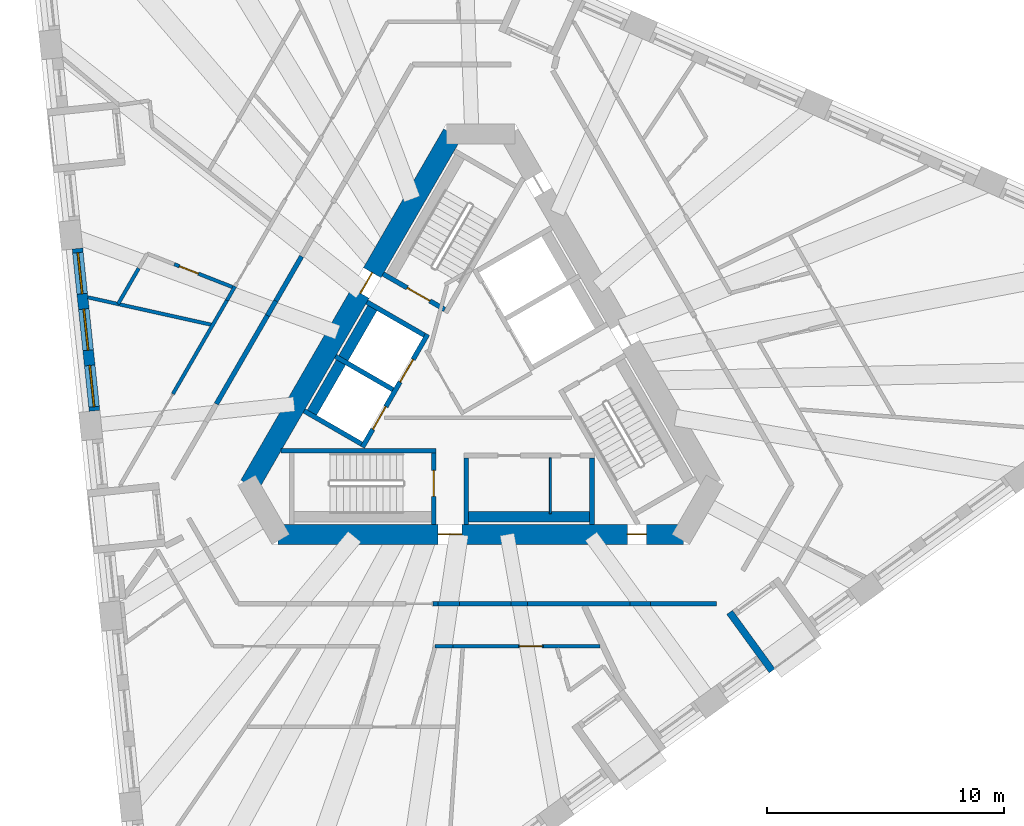
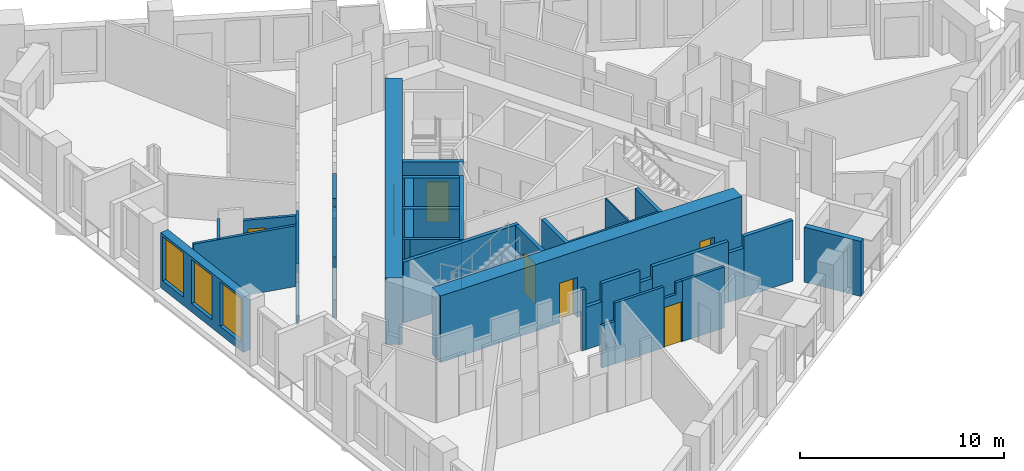
# One storey, part 4 of 14: 35 walls, 9 doors, 3 windows, 12 openings.
"""IFC4 building model written with IfcOpenShell, lengths in metres."""

from ifc_helpers import new_model, si_unit, direction, frame, frame_2d, origin, place, context, subcontext, project, spatial, polyline, rectangle, outline, extrude, material, layer, layer_set, type_object, element, fill, save


model = new_model("IFC4")

# Units and contexts
model_context = context("Model", 3, precision=1e-05, world=origin(), true_north=direction((0.0, 1.0)))
body_context = subcontext(model_context, "Body", "Model", "MODEL_VIEW")
ifc_project = project(units=[si_unit("LENGTHUNIT", "METRE"), si_unit("AREAUNIT", "SQUARE_METRE"), si_unit("VOLUMEUNIT", "CUBIC_METRE"), si_unit("PLANEANGLEUNIT", "RADIAN"), si_unit("MASSUNIT", "GRAM", prefix="KILO")], contexts=[model_context])

# Site, building, storey
site_placement = place(None, origin())
site = spatial("IfcSite", under=ifc_project, at=site_placement, CompositionType="ELEMENT")
building_placement = place(site_placement, origin())
building = spatial("IfcBuilding", under=site, at=building_placement, Name="Tramontana Tower", CompositionType="ELEMENT")
storey_placement = place(building_placement, frame((0.0, 0.0, 174.800048828125)))
storey = spatial("IfcBuildingStorey", under=building, at=storey_placement, Name="L40", CompositionType="ELEMENT", Elevation=174.800048828125)

# Wall, opening, door
ifc_material_1 = material(Name="Concrete 70 MPa", Category="concrete")
ifc_layer_1 = layer(ifc_material_1, 0.85009765625)
ifc_layer_set_1 = layer_set([ifc_layer_1], Name="Core wall 850 70 MPa")
wall_type_1 = type_object("IfcWallType", Name="Core wall 850 70 MPa", PredefinedType="SHEAR", material=ifc_layer_set_1)
wall_1_placement = place(storey_placement, frame((-1.197998046875, 10.574951171875, 0.0), z_axis=(0.0, 0.0, 1.0), x_axis=(-0.499995289315, -0.866028123483, 0.0)))
wall_1 = element("IfcWall", 1, at=wall_1_placement, inside=storey, type_object=wall_type_1, Name="Core wall C1 L40", PredefinedType="SHEAR", context=body_context, shape_type="SweptSolid", body=[
    extrude(rectangle(XDim=17.118408203125, YDim=0.85009765625, at=frame_2d((8.55908203125, 0.0))), origin(), (0.0, 0.0, 1.0), 4.0),
])
opening_1_placement = place(wall_1_placement, frame((6.76416015625, 0.0, 0.0)))
opening_1 = element("IfcOpeningElement", 2, at=opening_1_placement, cuts=wall_1, Name="Opening RG1", PredefinedType="OPENING", context=body_context, shape_type="SweptSolid", body=[
    extrude(rectangle(XDim=1.0, YDim=2.39990234375, at=frame_2d((0.5, 1.199951171875))), frame((0.0, 0.43505859375, 0.0), z_axis=(0.0, -1.0, 0.0), x_axis=(1.0, 0.0, 0.0)), (0.0, 0.0, 1.0), 0.8701171875),
])
ifc_material_2 = material(Name="Painted steel", Category="steel")
door_type_1 = type_object("IfcDoorType", Name="RING DOOR 1000", OperationType="SINGLE_SWING_LEFT", PredefinedType="DOOR", material=ifc_material_2)
door_1_placement = place(opening_1_placement, origin())
door_1 = element("IfcDoor", 3, at=door_1_placement, inside=storey, type_object=door_type_1, Name="Door RG1", OperationType="SINGLE_SWING_RIGHT", OverallHeight=2.39990234375, OverallWidth=1.0, PredefinedType="DOOR", context=body_context, shape_type="SweptSolid", body=[
    extrude(rectangle(XDim=1.0, YDim=2.39990234375, at=frame_2d((0.5, 1.199951171875))), frame((0.0, 0.02490234375, 0.0), z_axis=(0.0, -1.0, 0.0), x_axis=(1.0, 0.0, 0.0)), (0.0, 0.0, 1.0), 0.050048828125),
])
fill(opening_1, door_1)

# Wall, openings, doors
wall_2_placement = place(storey_placement, frame((-8.55908203125, -6.324951171875, 0.0), z_axis=(0.0, 0.0, 1.0), x_axis=(1.0, 0.0, 0.0)))
wall_2 = element("IfcWall", 4, at=wall_2_placement, inside=storey, type_object=wall_type_1, Name="Core wall C3 L40", PredefinedType="SHEAR", context=body_context, shape_type="SweptSolid", body=[
    extrude(rectangle(XDim=17.1181640625, YDim=0.85009765625, at=frame_2d((8.55908203125, 0.0))), origin(), (0.0, 0.0, 1.0), 4.0),
])
opening_2_placement = place(wall_2_placement, frame((6.76416015625, 0.0, 0.0)))
opening_2 = element("IfcOpeningElement", 5, at=opening_2_placement, cuts=wall_2, Name="Opening RG2", PredefinedType="OPENING", context=body_context, shape_type="SweptSolid", body=[
    extrude(rectangle(XDim=1.0, YDim=2.39990234375, at=frame_2d((0.5, 1.199951171875))), frame((0.0, 0.43505859375, 0.0), z_axis=(0.0, -1.0, 0.0), x_axis=(1.0, 0.0, 0.0)), (0.0, 0.0, 1.0), 0.8701171875),
])
opening_3_placement = place(wall_2_placement, frame((14.7421875, 0.0, 0.0)))
opening_3 = element("IfcOpeningElement", 6, at=opening_3_placement, cuts=wall_2, Name="Opening PD2", PredefinedType="OPENING", context=body_context, shape_type="SweptSolid", body=[
    extrude(rectangle(XDim=0.800048828125, YDim=2.10009765625, at=frame_2d((0.39990234375, 1.050048828125))), frame((0.0, 0.43505859375, 0.0), z_axis=(0.0, -1.0, 0.0), x_axis=(1.0, 0.0, 0.0)), (0.0, 0.0, 1.0), 0.8701171875),
])
ifc_material_3 = material(Name="Painted steel", Category="steel")
door_type_2 = type_object("IfcDoorType", Name="CUPBOARD DOOR 800", OperationType="SINGLE_SWING_LEFT", PredefinedType="DOOR", material=ifc_material_3)
door_2_placement = place(opening_3_placement, origin())
door_2 = element("IfcDoor", 7, at=door_2_placement, inside=storey, type_object=door_type_2, Name="Door PD2", OperationType="SINGLE_SWING_LEFT", OverallHeight=2.10009765625, OverallWidth=0.800048828125, PredefinedType="DOOR", context=body_context, shape_type="SweptSolid", body=[
    extrude(rectangle(XDim=0.800048828125, YDim=2.10009765625, at=frame_2d((0.39990234375, 1.050048828125))), frame((0.0, 0.02490234375, 0.0), z_axis=(0.0, -1.0, 0.0), x_axis=(1.0, 0.0, 0.0)), (0.0, 0.0, 1.0), 0.050048828125),
])
fill(opening_3, door_2)
door_3_placement = place(opening_2_placement, origin())
door_3 = element("IfcDoor", 8, at=door_3_placement, inside=storey, type_object=door_type_1, Name="Door RG2", OperationType="SINGLE_SWING_LEFT", OverallHeight=2.39990234375, OverallWidth=1.0, PredefinedType="DOOR", context=body_context, shape_type="SweptSolid", body=[
    extrude(rectangle(XDim=1.0, YDim=2.39990234375, at=frame_2d((0.5, 1.199951171875))), frame((0.0, 0.02490234375, 0.0), z_axis=(0.0, -1.0, 0.0), x_axis=(1.0, 0.0, 0.0)), (0.0, 0.0, 1.0), 0.050048828125),
])
fill(opening_2, door_3)

# Walls
ifc_material_4 = material(Name="Blockwork", Category="masonry")
ifc_layer_2 = layer(ifc_material_4, 0.199951171875)
ifc_layer_set_2 = layer_set([ifc_layer_2], Name="ENTRY WALL 200")
wall_type_2 = type_object("IfcWallType", Name="ENTRY WALL 200", PredefinedType="SOLIDWALL", material=ifc_layer_set_2)
wall_3_placement = place(storey_placement, frame((9.95166015625, -9.25, 0.0), z_axis=(0.0, 0.0, 1.0), x_axis=(-1.0, 0.0, 0.0)))
element("IfcWall", 9, at=wall_3_placement, inside=storey, type_object=wall_type_2, Name="Wall v41-ew2-0", PredefinedType="SOLIDWALL", context=body_context, shape_type="SweptSolid", body=[
    extrude(rectangle(XDim=2.798583984375, YDim=0.199951171875, at=frame_2d((1.3994140625, 0.0))), origin(), (0.0, 0.0, 1.0), 3.64990234375),
])
wall_4_placement = place(storey_placement, frame((7.153076171875, -9.25, 0.0), z_axis=(0.0, 0.0, 1.0), x_axis=(-1.0, 0.0, 0.0)))
element("IfcWall", 10, at=wall_4_placement, inside=storey, type_object=wall_type_2, Name="Wall v41-ew2-1", PredefinedType="SOLIDWALL", context=body_context, shape_type="SweptSolid", body=[
    extrude(rectangle(XDim=0.865234375, YDim=0.199951171875, at=frame_2d((0.4326171875, 0.0))), origin(), (0.0, 0.0, 1.0), 2.949951171875),
])
wall_5_placement = place(storey_placement, frame((6.287841796875, -9.25, 0.0), z_axis=(0.0, 0.0, 1.0), x_axis=(-1.0, 0.0, 0.0)))
element("IfcWall", 11, at=wall_5_placement, inside=storey, type_object=wall_type_2, Name="Wall v41-ew2-2", PredefinedType="SOLIDWALL", context=body_context, shape_type="SweptSolid", body=[
    extrude(rectangle(XDim=4.306640625, YDim=0.199951171875, at=frame_2d((2.1533203125, 0.0))), origin(), (0.0, 0.0, 1.0), 3.64990234375),
])
wall_6_placement = place(storey_placement, frame((1.981201171875, -9.25, 0.0), z_axis=(0.0, 0.0, 1.0), x_axis=(-1.0, 0.0, 0.0)))
element("IfcWall", 12, at=wall_6_placement, inside=storey, type_object=wall_type_2, Name="Wall v41-ew2-3", PredefinedType="SOLIDWALL", context=body_context, shape_type="SweptSolid", body=[
    extrude(rectangle(XDim=0.710693359375, YDim=0.199951171875, at=frame_2d((0.35546875, 0.0))), origin(), (0.0, 0.0, 1.0), 2.949951171875),
])
wall_7_placement = place(storey_placement, frame((1.2705078125, -9.25, 0.0), z_axis=(0.0, 0.0, 1.0), x_axis=(-1.0, 0.0, 0.0)))
element("IfcWall", 13, at=wall_7_placement, inside=storey, type_object=wall_type_2, Name="Wall v41-ew2-4", PredefinedType="SOLIDWALL", context=body_context, shape_type="SweptSolid", body=[
    extrude(rectangle(XDim=2.169677734375, YDim=0.199951171875, at=frame_2d((1.0849609375, 0.0))), origin(), (0.0, 0.0, 1.0), 3.64990234375),
])
wall_8_placement = place(storey_placement, frame((-0.899169921875, -9.25, 0.0), z_axis=(0.0, 0.0, 1.0), x_axis=(-1.0, 0.0, 0.0)))
element("IfcWall", 14, at=wall_8_placement, inside=storey, type_object=wall_type_2, Name="Wall v41-ew2-5", PredefinedType="SOLIDWALL", context=body_context, shape_type="SweptSolid", body=[
    extrude(rectangle(XDim=0.909423828125, YDim=0.199951171875, at=frame_2d((0.45458984375, 0.0))), origin(), (0.0, 0.0, 1.0), 2.550048828125),
])
wall_9_placement = place(storey_placement, frame((-1.80859375, -9.25, 0.0), z_axis=(0.0, 0.0, 1.0), x_axis=(-1.0, 0.0, 0.0)))
element("IfcWall", 15, at=wall_9_placement, inside=storey, type_object=wall_type_2, Name="Wall v41-ew2-6", PredefinedType="SOLIDWALL", context=body_context, shape_type="SweptSolid", body=[
    extrude(rectangle(XDim=0.200439453125, YDim=0.199951171875, at=frame_2d((0.10009765625, 0.0))), origin(), (0.0, 0.0, 1.0), 3.64990234375),
])
wall_10_placement = place(storey_placement, frame((-11.15478515625, -0.820556640625, 0.0), z_axis=(0.0, 0.0, 1.0), x_axis=(0.499992344383, 0.866029823712, 0.0)))
element("IfcWall", 16, at=wall_10_placement, inside=storey, type_object=wall_type_2, Name="Wall v41-ew4-2", PredefinedType="SOLIDWALL", context=body_context, shape_type="SweptSolid", body=[
    extrude(rectangle(XDim=4.306640625, YDim=0.199951171875, at=frame_2d((2.1533203125, 0.0))), origin(), (0.0, 0.0, 1.0), 3.64990234375),
])
wall_11_placement = place(storey_placement, frame((-9.00146484375, 2.9091796875, 0.0), z_axis=(0.0, 0.0, 1.0), x_axis=(0.50012879774, 0.865951029603, 0.0)))
element("IfcWall", 17, at=wall_11_placement, inside=storey, type_object=wall_type_2, Name="Wall v41-ew4-3", PredefinedType="SOLIDWALL", context=body_context, shape_type="SweptSolid", body=[
    extrude(rectangle(XDim=0.710693359375, YDim=0.199951171875, at=frame_2d((0.35546875, 0.0))), origin(), (0.0, 0.0, 1.0), 2.949951171875),
])
wall_12_placement = place(storey_placement, frame((-8.64599609375, 3.524658203125, 0.0), z_axis=(0.0, 0.0, 1.0), x_axis=(0.499975720793, 0.866039420937, 0.0)))
element("IfcWall", 18, at=wall_12_placement, inside=storey, type_object=wall_type_2, Name="Wall v41-ew4-4", PredefinedType="SOLIDWALL", context=body_context, shape_type="SweptSolid", body=[
    extrude(rectangle(XDim=2.16943359375, YDim=0.199951171875, at=frame_2d((1.084716796875, 0.0))), origin(), (0.0, 0.0, 1.0), 3.64990234375),
])

# Wall, openings, windows
ifc_material_5 = material(Name="Precast concrete 60 MPa", Category="concrete")
ifc_layer_3 = layer(ifc_material_5, 0.449951171875)
ifc_layer_set_3 = layer_set([ifc_layer_3], Name="Precast concrete 60 MPa, 450 mm")
wall_type_3 = type_object("IfcWallType", Name="EW1 Stone-faced precast wall 450", PredefinedType="SOLIDWALL", material=ifc_layer_set_3)
wall_13_placement = place(storey_placement, frame((-17.017822265625, 5.735595703125, 0.0), z_axis=(0.0, 0.0, 1.0), x_axis=(0.104531531326, -0.994521572898, 0.0)))
wall_13 = element("IfcWall", 19, at=wall_13_placement, inside=storey, type_object=wall_type_3, Name="External wall L40 face 0 bay 3", PredefinedType="SOLIDWALL", context=body_context, shape_type="SweptSolid", body=[
    extrude(rectangle(XDim=6.8828125, YDim=0.449951171875, at=frame_2d((3.44140625, 0.0))), origin(), (0.0, 0.0, 1.0), 3.300048828125),
])
opening_4_placement = place(wall_13_placement, frame((0.172119140625, 0.0, 0.5)))
opening_4 = element("IfcOpeningElement", 20, at=opening_4_placement, cuts=wall_13, Name="Opening M2", PredefinedType="OPENING", context=body_context, shape_type="SweptSolid", body=[
    extrude(rectangle(XDim=1.75, YDim=2.64990234375, at=frame_2d((0.875, 1.324951171875))), frame((0.0, 0.23486328125, 0.0), z_axis=(0.0, -1.0, 0.0), x_axis=(1.0, 0.0, 0.0)), (0.0, 0.0, 1.0), 0.469970703125),
])
opening_5_placement = place(wall_13_placement, frame((2.56640625, 0.0, 0.5)))
opening_5 = element("IfcOpeningElement", 21, at=opening_5_placement, cuts=wall_13, Name="Opening M2", PredefinedType="OPENING", context=body_context, shape_type="SweptSolid", body=[
    extrude(rectangle(XDim=1.75, YDim=2.64990234375, at=frame_2d((0.875, 1.324951171875))), frame((0.0, 0.23486328125, 0.0), z_axis=(0.0, -1.0, 0.0), x_axis=(1.0, 0.0, 0.0)), (0.0, 0.0, 1.0), 0.469970703125),
])
opening_6_placement = place(wall_13_placement, frame((4.960693359375, 0.0, 0.5)))
opening_6 = element("IfcOpeningElement", 22, at=opening_6_placement, cuts=wall_13, Name="Opening M2", PredefinedType="OPENING", context=body_context, shape_type="SweptSolid", body=[
    extrude(rectangle(XDim=1.75, YDim=2.64990234375, at=frame_2d((0.875, 1.324951171875))), frame((0.0, 0.23486328125, 0.0), z_axis=(0.0, -1.0, 0.0), x_axis=(1.0, 0.0, 0.0)), (0.0, 0.0, 1.0), 0.469970703125),
])
ifc_material_6 = material(Name="Aluminum frame, double glazing unit", Category="aluminium")
window_type = type_object("IfcWindowType", Name="M2 Window 1.75 x 2.65", PartitioningType="SINGLE_PANEL", PredefinedType="WINDOW", material=ifc_material_6)
window_1_placement = place(opening_4_placement, origin())
window_1 = element("IfcWindow", 23, at=window_1_placement, inside=storey, type_object=window_type, Name="Window M2 L40 face 0 module 7", OverallHeight=2.64990234375, OverallWidth=1.75, PartitioningType="SINGLE_PANEL", PredefinedType="WINDOW", context=body_context, shape_type="SweptSolid", body=[
    extrude(rectangle(XDim=1.75, YDim=2.64990234375, at=frame_2d((0.875, 1.324951171875))), frame((0.0, 0.030029296875, 0.0), z_axis=(0.0, -1.0, 0.0), x_axis=(1.0, 0.0, 0.0)), (0.0, 0.0, 1.0), 0.06005859375),
])
fill(opening_4, window_1)
window_2_placement = place(opening_5_placement, origin())
window_2 = element("IfcWindow", 24, at=window_2_placement, inside=storey, type_object=window_type, Name="Window M2 L40 face 0 module 8", OverallHeight=2.64990234375, OverallWidth=1.75, PartitioningType="SINGLE_PANEL", PredefinedType="WINDOW", context=body_context, shape_type="SweptSolid", body=[
    extrude(rectangle(XDim=1.75, YDim=2.64990234375, at=frame_2d((0.875, 1.324951171875))), frame((0.0, 0.030029296875, 0.0), z_axis=(0.0, -1.0, 0.0), x_axis=(1.0, 0.0, 0.0)), (0.0, 0.0, 1.0), 0.06005859375),
])
fill(opening_5, window_2)
window_3_placement = place(opening_6_placement, origin())
window_3 = element("IfcWindow", 25, at=window_3_placement, inside=storey, type_object=window_type, Name="Window M2 L40 face 0 module 9", OverallHeight=2.64990234375, OverallWidth=1.75, PartitioningType="SINGLE_PANEL", PredefinedType="WINDOW", context=body_context, shape_type="SweptSolid", body=[
    extrude(rectangle(XDim=1.75, YDim=2.64990234375, at=frame_2d((0.875, 1.324951171875))), frame((0.0, 0.030029296875, 0.0), z_axis=(0.0, -1.0, 0.0), x_axis=(1.0, 0.0, 0.0)), (0.0, 0.0, 1.0), 0.06005859375),
])
fill(opening_6, window_3)

# Walls
ifc_material_7 = material(Name="Precast concrete 60 MPa", Category="concrete")
ifc_layer_4 = layer(ifc_material_7, 0.300048828125)
ifc_layer_set_4 = layer_set([ifc_layer_4], Name="LW1 Stone-faced loggia wall 300")
wall_type_4 = type_object("IfcWallType", Name="LW1 Stone-faced loggia wall 300", PredefinedType="SOLIDWALL", material=ifc_layer_set_4)
wall_14_placement = place(storey_placement, frame((12.29345703125, -12.08154296875, 0.0), z_axis=(0.0, 0.0, 1.0), x_axis=(-0.587776590479, 0.80902328748, 0.0)))
element("IfcWall", 26, at=wall_14_placement, inside=storey, type_object=wall_type_4, Name="Loggia return L40 G4S1.10a", PredefinedType="SOLIDWALL", context=body_context, shape_type="SweptSolid", body=[
    extrude(rectangle(XDim=3.050048828125, YDim=0.300048828125, at=frame_2d((1.52490234375, 0.0))), origin(), (0.0, 0.0, 1.0), 3.300048828125),
])
ifc_material_8 = material(Name="Gypsum board partition")
ifc_layer_5 = layer(ifc_material_8, 0.14990234375)
ifc_layer_set_5 = layer_set([ifc_layer_5], Name="PARTITION 150")
wall_type_5 = type_object("IfcWallType", Name="PARTITION 150", PredefinedType="PARTITIONING", material=ifc_layer_set_5)
wall_15_placement = place(storey_placement, frame((-15.3017578125, 3.396484375, 0.0), z_axis=(0.0, 0.0, 1.0), x_axis=(0.499989842173, 0.866031268329, 0.0)))
element("IfcWall", 27, at=wall_15_placement, inside=storey, type_object=wall_type_5, Name="Wall v41-pw00-0", PredefinedType="PARTITIONING", context=body_context, shape_type="SweptSolid", body=[
    extrude(rectangle(XDim=1.73876953125, YDim=0.14990234375, at=frame_2d((0.869384765625, 0.0))), origin(), (0.0, 0.0, 1.0), 3.64990234375),
])
wall_16_placement = place(storey_placement, frame((-12.98876953125, -0.3974609375, 0.0), z_axis=(0.0, 0.0, 1.0), x_axis=(0.499962245075, 0.866047200503, 0.0)))
element("IfcWall", 28, at=wall_16_placement, inside=storey, type_object=wall_type_5, Name="Wall v41-pw02-2", PredefinedType="PARTITIONING", context=body_context, shape_type="SweptSolid", body=[
    extrude(rectangle(XDim=4.553466796875, YDim=0.14990234375, at=frame_2d((2.27685546875, 0.0))), origin(), (0.0, 0.0, 1.0), 3.64990234375),
])
wall_17_placement = place(storey_placement, frame((-10.712158203125, 3.546142578125, 0.0), z_axis=(0.0, 0.0, 1.0), x_axis=(0.50012328804, 0.865954211699, 0.0)))
element("IfcWall", 29, at=wall_17_placement, inside=storey, type_object=wall_type_5, Name="Wall v41-pw02-3", PredefinedType="PARTITIONING", context=body_context, shape_type="SweptSolid", body=[
    extrude(rectangle(XDim=0.685302734375, YDim=0.14990234375, at=frame_2d((0.3427734375, 0.0))), origin(), (0.0, 0.0, 1.0), 2.949951171875),
])

# Wall, opening, door
wall_18_placement = place(storey_placement, frame((-10.4736328125, 4.109375, 0.0), z_axis=(0.0, 0.0, 1.0), x_axis=(-0.930912162403, 0.365243132571, 0.0)))
wall_18 = element("IfcWall", 30, at=wall_18_placement, inside=storey, type_object=wall_type_5, Name="Wall v41-pw08-1", PredefinedType="PARTITIONING", context=body_context, shape_type="SweptSolid", body=[
    extrude(rectangle(XDim=2.6396484375, YDim=0.14990234375, at=frame_2d((1.31982421875, 0.0))), origin(), (0.0, 0.0, 1.0), 2.949951171875),
])
opening_7_placement = place(wall_18_placement, frame((1.55224609375, 0.0, 0.0)))
opening_7 = element("IfcOpeningElement", 31, at=opening_7_placement, cuts=wall_18, Name="Opening B4B-07", PredefinedType="OPENING", context=body_context, shape_type="SweptSolid", body=[
    extrude(rectangle(XDim=0.85009765625, YDim=2.39990234375, at=frame_2d((0.425048828125, 1.199951171875))), frame((0.0, 0.0849609375, 0.0), z_axis=(0.0, -1.0, 0.0), x_axis=(1.0, 0.0, 0.0)), (0.0, 0.0, 1.0), 0.169921875),
])
ifc_material_9 = material(Name="Painted timber", Category="wood")
door_type_3 = type_object("IfcDoorType", Name="DOOR BATH 850", OperationType="SINGLE_SWING_LEFT", PredefinedType="DOOR", material=ifc_material_9)
door_4_placement = place(opening_7_placement, origin())
door_4 = element("IfcDoor", 32, at=door_4_placement, inside=storey, type_object=door_type_3, Name="Door B4B-07", OperationType="SINGLE_SWING_LEFT", OverallHeight=2.39990234375, OverallWidth=0.85009765625, PredefinedType="DOOR", context=body_context, shape_type="SweptSolid", body=[
    extrude(rectangle(XDim=0.85009765625, YDim=2.39990234375, at=frame_2d((0.425048828125, 1.199951171875))), frame((0.0, 0.02490234375, 0.0), z_axis=(0.0, -1.0, 0.0), x_axis=(1.0, 0.0, 0.0)), (0.0, 0.0, 1.0), 0.050048828125),
])
fill(opening_7, door_4)

# Walls
wall_19_placement = place(storey_placement, frame((-11.3125, 2.509033203125, 0.0), z_axis=(0.0, 0.0, 1.0), x_axis=(-0.976273304497, 0.216541993449, 0.0)))
element("IfcWall", 33, at=wall_19_placement, inside=storey, type_object=wall_type_5, Name="Wall v41-pw16", PredefinedType="PARTITIONING", context=body_context, shape_type="SweptSolid", body=[
    extrude(rectangle(XDim=5.390380859375, YDim=0.14990234375, at=frame_2d((2.6953125, 0.0))), origin(), (0.0, 0.0, 1.0), 3.64990234375),
])
wall_20_placement = place(storey_placement, frame((5.03076171875, -11.050048828125, 0.0), z_axis=(0.0, 0.0, 1.0), x_axis=(-1.0, 0.0, 0.0)))
element("IfcWall", 34, at=wall_20_placement, inside=storey, type_object=wall_type_5, Name="Wall v41-pw35-0", PredefinedType="PARTITIONING", context=body_context, shape_type="SweptSolid", body=[
    extrude(rectangle(XDim=2.390625, YDim=0.14990234375, at=frame_2d((1.1953125, 0.0))), origin(), (0.0, 0.0, 1.0), 3.64990234375),
])

# Wall, opening, door
wall_21_placement = place(storey_placement, frame((2.64013671875, -11.050048828125, 0.0), z_axis=(0.0, 0.0, 1.0), x_axis=(-1.0, 0.0, 0.0)))
wall_21 = element("IfcWall", 35, at=wall_21_placement, inside=storey, type_object=wall_type_5, Name="Wall v41-pw35-1", PredefinedType="PARTITIONING", context=body_context, shape_type="SweptSolid", body=[
    extrude(outline(polyline([(0.0, 0.0), (1.0498046875, 0.0), (1.050048828125, 2.949951171875), (0.355224609375, 2.949951171875), (0.355224609375, 3.64990234375), (0.0, 3.64990234375), (0.0, 0.0)])), frame((0.0, 0.074951171875, 0.0), z_axis=(0.0, -1.0, 0.0), x_axis=(1.0, 0.0, 0.0)), (0.0, 0.0, 1.0), 0.14990234375),
])
opening_8_placement = place(wall_21_placement, frame((0.050048828125, 0.0, 0.0)))
opening_8 = element("IfcOpeningElement", 36, at=opening_8_placement, cuts=wall_21, Name="Opening B4B-12", PredefinedType="OPENING", context=body_context, shape_type="SweptSolid", body=[
    extrude(rectangle(XDim=0.949951171875, YDim=2.39990234375, at=frame_2d((0.47509765625, 1.199951171875))), frame((0.0, 0.0849609375, 0.0), z_axis=(0.0, -1.0, 0.0), x_axis=(1.0, 0.0, 0.0)), (0.0, 0.0, 1.0), 0.169921875),
])
ifc_material_10 = material(Name="Painted timber", Category="wood")
door_type_4 = type_object("IfcDoorType", Name="DOOR ROOM 950", OperationType="SINGLE_SWING_LEFT", PredefinedType="DOOR", material=ifc_material_10)
door_5_placement = place(opening_8_placement, origin())
door_5 = element("IfcDoor", 37, at=door_5_placement, inside=storey, type_object=door_type_4, Name="Door B4B-12", OperationType="SINGLE_SWING_RIGHT", OverallHeight=2.39990234375, OverallWidth=0.949951171875, PredefinedType="DOOR", context=body_context, shape_type="SweptSolid", body=[
    extrude(rectangle(XDim=0.949951171875, YDim=2.39990234375, at=frame_2d((0.47509765625, 1.199951171875))), frame((0.0, 0.02490234375, 0.0), z_axis=(0.0, -1.0, 0.0), x_axis=(1.0, 0.0, 0.0)), (0.0, 0.0, 1.0), 0.050048828125),
])
fill(opening_8, door_5)

# Walls
wall_22_placement = place(storey_placement, frame((1.59033203125, -11.050048828125, 0.0), z_axis=(0.0, 0.0, 1.0), x_axis=(-1.0, 0.0, 0.0)))
element("IfcWall", 38, at=wall_22_placement, inside=storey, type_object=wall_type_5, Name="Wall v41-pw35-2", PredefinedType="PARTITIONING", context=body_context, shape_type="SweptSolid", body=[
    extrude(rectangle(XDim=2.765625, YDim=0.14990234375, at=frame_2d((1.3828125, 0.0))), origin(), (0.0, 0.0, 1.0), 3.64990234375),
])
wall_23_placement = place(storey_placement, frame((-1.17529296875, -11.050048828125, 0.0), z_axis=(0.0, 0.0, 1.0), x_axis=(-1.0, 0.0, 0.0)))
element("IfcWall", 39, at=wall_23_placement, inside=storey, type_object=wall_type_5, Name="Wall v41-pw35-3", PredefinedType="PARTITIONING", context=body_context, shape_type="SweptSolid", body=[
    extrude(rectangle(XDim=0.74658203125, YDim=0.14990234375, at=frame_2d((0.373291015625, 0.0))), origin(), (0.0, 0.0, 1.0), 2.550048828125),
])
ifc_material_11 = material(Name="Gypsum board partition")
ifc_layer_6 = layer(ifc_material_11, 0.080078125)
ifc_layer_set_6 = layer_set([ifc_layer_6], Name="PARTITION 80")
wall_type_6 = type_object("IfcWallType", Name="PARTITION 80", PredefinedType="PARTITIONING", material=ifc_layer_set_6)
wall_24_placement = place(storey_placement, frame((2.93994140625, -3.10009765625, 0.0), z_axis=(0.0, 0.0, 1.0), x_axis=(0.0, -1.0, 0.0)))
element("IfcWall", 40, at=wall_24_placement, inside=storey, type_object=wall_type_6, Name="Wall row1-split", PredefinedType="PARTITIONING", context=body_context, shape_type="SweptSolid", body=[
    extrude(rectangle(XDim=2.349853515625, YDim=0.080078125, at=frame_2d((1.1748046875, 0.0))), origin(), (0.0, 0.0, 1.0), 3.64990234375),
])
ifc_material_12 = material(Name="Concrete 70 MPa", Category="concrete")
ifc_layer_7 = layer(ifc_material_12, 0.449951171875)
ifc_layer_set_7 = layer_set([ifc_layer_7], Name="Concrete 70 MPa, 450 mm")
wall_type_7 = type_object("IfcWallType", Name="RC SHAFT BACK WALL 450", PredefinedType="SOLIDWALL", material=ifc_layer_set_7)
for number, where, z_axis, x_axis, name in (
    (41, (-4.47314453125, 3.40234375, 0.0), (0.0, 0.0, 1.0), (-0.499996545922, -0.866027397988, 0.0), "Wall row0-back"),
    (42, (-0.7099609375, -5.574951171875, 0.0), (0.0, 0.0, 1.0), (1.0, 0.0, 0.0), "Wall row1-back"),
):
    element("IfcWall", number, at=place(storey_placement, frame(where, z_axis=z_axis, x_axis=x_axis)), inside=storey, type_object=wall_type_7, Name=name, PredefinedType="SOLIDWALL", context=body_context, shape_type="SweptSolid", body=[
        extrude(rectangle(XDim=5.5, YDim=0.449951171875, at=frame_2d((2.75, 0.0))), origin(), (0.0, 0.0, 1.0), 3.64990234375),
    ])

# Wall, opening, door
ifc_material_13 = material(Name="Concrete 70 MPa", Category="concrete")
ifc_layer_8 = layer(ifc_material_13, 0.199951171875)
ifc_layer_set_8 = layer_set([ifc_layer_8], Name="Concrete 70 MPa, 200 mm")
wall_type_8 = type_object("IfcWallType", Name="RC STAIR AND SHAFT WALL 200", PredefinedType="SOLIDWALL", material=ifc_layer_set_8)
wall_25_placement = place(storey_placement, frame((-1.521484375, 3.164794921875, 0.0), z_axis=(0.0, 0.0, 1.0), x_axis=(-0.866031096941, 0.499990139034, 0.0)))
wall_25 = element("IfcWall", 43, at=wall_25_placement, inside=storey, type_object=wall_type_8, Name="Wall st1-near", PredefinedType="SOLIDWALL", context=body_context, shape_type="SweptSolid", body=[
    extrude(rectangle(XDim=3.0, YDim=0.199951171875, at=frame_2d((1.5, 0.0))), origin(), (0.0, 0.0, 1.0), 3.64990234375),
])
opening_9_placement = place(wall_25_placement, frame((0.72509765625, 0.0, 0.0)))
opening_9 = element("IfcOpeningElement", 44, at=opening_9_placement, cuts=wall_25, Name="Opening SD1", PredefinedType="OPENING", context=body_context, shape_type="SweptSolid", body=[
    extrude(rectangle(XDim=1.10009765625, YDim=2.39990234375, at=frame_2d((0.550048828125, 1.199951171875))), frame((0.0, 0.10986328125, 0.0), z_axis=(0.0, -1.0, 0.0), x_axis=(1.0, 0.0, 0.0)), (0.0, 0.0, 1.0), 0.219970703125),
])
ifc_material_14 = material(Name="Painted steel", Category="steel")
door_type_5 = type_object("IfcDoorType", Name="STAIR DOOR 1100", OperationType="SINGLE_SWING_LEFT", PredefinedType="DOOR", material=ifc_material_14)
door_6_placement = place(opening_9_placement, origin())
door_6 = element("IfcDoor", 45, at=door_6_placement, inside=storey, type_object=door_type_5, Name="Door SD1", OperationType="SINGLE_SWING_RIGHT", OverallHeight=2.39990234375, OverallWidth=1.10009765625, PredefinedType="DOOR", context=body_context, shape_type="SweptSolid", body=[
    extrude(rectangle(XDim=1.10009765625, YDim=2.39990234375, at=frame_2d((0.550048828125, 1.199951171875))), frame((0.0, 0.02490234375, 0.0), z_axis=(0.0, -1.0, 0.0), x_axis=(1.0, 0.0, 0.0)), (0.0, 0.0, 1.0), 0.050048828125),
])
fill(opening_9, door_6)

# Wall
wall_26_placement = place(storey_placement, frame((-8.42919921875, -2.800048828125, 0.0), z_axis=(0.0, 0.0, 1.0), x_axis=(1.0, 0.0, 0.0)))
element("IfcWall", 46, at=wall_26_placement, inside=storey, type_object=wall_type_8, Name="Wall st2-front", PredefinedType="SOLIDWALL", context=body_context, shape_type="SweptSolid", body=[
    extrude(rectangle(XDim=6.54931640625, YDim=0.199951171875, at=frame_2d((3.274658203125, 0.0))), origin(), (0.0, 0.0, 1.0), 3.64990234375),
])

# Wall, opening, door
wall_27_placement = place(storey_placement, frame((-1.97998046875, -2.89990234375, 0.0), z_axis=(0.0, 0.0, 1.0), x_axis=(0.0, -1.0, 0.0)))
wall_27 = element("IfcWall", 47, at=wall_27_placement, inside=storey, type_object=wall_type_8, Name="Wall st2-near", PredefinedType="SOLIDWALL", context=body_context, shape_type="SweptSolid", body=[
    extrude(rectangle(XDim=3.0, YDim=0.199951171875, at=frame_2d((1.5, 0.0))), origin(), (0.0, 0.0, 1.0), 3.64990234375),
])
opening_10_placement = place(wall_27_placement, frame((0.72509765625, 0.0, 0.0)))
opening_10 = element("IfcOpeningElement", 48, at=opening_10_placement, cuts=wall_27, Name="Opening SD2", PredefinedType="OPENING", context=body_context, shape_type="SweptSolid", body=[
    extrude(rectangle(XDim=1.10009765625, YDim=2.39990234375, at=frame_2d((0.550048828125, 1.199951171875))), frame((0.0, 0.10986328125, 0.0), z_axis=(0.0, -1.0, 0.0), x_axis=(1.0, 0.0, 0.0)), (0.0, 0.0, 1.0), 0.219970703125),
])
door_7_placement = place(opening_10_placement, origin())
door_7 = element("IfcDoor", 49, at=door_7_placement, inside=storey, type_object=door_type_5, Name="Door SD2", OperationType="SINGLE_SWING_LEFT", OverallHeight=2.39990234375, OverallWidth=1.10009765625, PredefinedType="DOOR", context=body_context, shape_type="SweptSolid", body=[
    extrude(rectangle(XDim=1.10009765625, YDim=2.39990234375, at=frame_2d((0.550048828125, 1.199951171875))), frame((0.0, 0.02490234375, 0.0), z_axis=(0.0, -1.0, 0.0), x_axis=(1.0, 0.0, 0.0)), (0.0, 0.0, 1.0), 0.050048828125),
])
fill(opening_10, door_7)

# Wall, openings, doors
wall_28_placement = place(storey_placement, frame((-2.2431640625, 2.114990234375, 0.0), z_axis=(0.0, 0.0, 1.0), x_axis=(-0.499996545922, -0.866027397988, 0.0)))
wall_28 = element("IfcWall", 50, at=wall_28_placement, inside=storey, type_object=wall_type_8, Name="Wall row0-front", PredefinedType="SOLIDWALL", context=body_context, shape_type="SweptSolid", body=[
    extrude(rectangle(XDim=5.5, YDim=0.199951171875, at=frame_2d((2.75, 0.0))), origin(), (0.0, 0.0, 1.0), 3.64990234375),
])
opening_11_placement = place(wall_28_placement, frame((1.219970703125, 0.0, 0.0)))
opening_11 = element("IfcOpeningElement", 51, at=opening_11_placement, cuts=wall_28, Name="Opening LD-P1", PredefinedType="OPENING", context=body_context, shape_type="SweptSolid", body=[
    extrude(rectangle(XDim=1.10009765625, YDim=2.10009765625, at=frame_2d((0.550048828125, 1.050048828125))), frame((0.0, 0.10986328125, 0.0), z_axis=(0.0, -1.0, 0.0), x_axis=(1.0, 0.0, 0.0)), (0.0, 0.0, 1.0), 0.219970703125),
])
opening_12_placement = place(wall_28_placement, frame((3.52490234375, 0.0, 0.0)))
opening_12 = element("IfcOpeningElement", 52, at=opening_12_placement, cuts=wall_28, Name="Opening LD-P2", PredefinedType="OPENING", context=body_context, shape_type="SweptSolid", body=[
    extrude(rectangle(XDim=1.10009765625, YDim=2.10009765625, at=frame_2d((0.550048828125, 1.050048828125))), frame((0.0, 0.10986328125, 0.0), z_axis=(0.0, -1.0, 0.0), x_axis=(1.0, 0.0, 0.0)), (0.0, 0.0, 1.0), 0.219970703125),
])
ifc_material_15 = material(Name="Brushed steel", Category="steel")
door_type_6 = type_object("IfcDoorType", Name="LANDING DOOR 1100", OperationType="SINGLE_SWING_LEFT", PredefinedType="DOOR", material=ifc_material_15)
door_8_placement = place(opening_11_placement, origin())
door_8 = element("IfcDoor", 53, at=door_8_placement, inside=storey, type_object=door_type_6, Name="Door LD-P1", OperationType="SLIDING_TO_LEFT", OverallHeight=2.10009765625, OverallWidth=1.10009765625, PredefinedType="DOOR", context=body_context, shape_type="SweptSolid", body=[
    extrude(rectangle(XDim=1.10009765625, YDim=2.10009765625, at=frame_2d((0.550048828125, 1.050048828125))), frame((0.0, 0.02490234375, 0.0), z_axis=(0.0, -1.0, 0.0), x_axis=(1.0, 0.0, 0.0)), (0.0, 0.0, 1.0), 0.050048828125),
])
fill(opening_11, door_8)
door_9_placement = place(opening_12_placement, origin())
door_9 = element("IfcDoor", 54, at=door_9_placement, inside=storey, type_object=door_type_6, Name="Door LD-P2", OperationType="SLIDING_TO_RIGHT", OverallHeight=2.10009765625, OverallWidth=1.10009765625, PredefinedType="DOOR", context=body_context, shape_type="SweptSolid", body=[
    extrude(rectangle(XDim=1.10009765625, YDim=2.10009765625, at=frame_2d((0.550048828125, 1.050048828125))), frame((0.0, 0.02490234375, 0.0), z_axis=(0.0, -1.0, 0.0), x_axis=(1.0, 0.0, 0.0)), (0.0, 0.0, 1.0), 0.050048828125),
])
fill(opening_12, door_9)

# Walls
wall_29_placement = place(storey_placement, frame((-2.379638671875, 2.078369140625, 0.0), z_axis=(0.0, 0.0, 1.0), x_axis=(-0.866034573852, 0.49998411664, 0.0)))
element("IfcWall", 55, at=wall_29_placement, inside=storey, type_object=wall_type_8, Name="Wall row0-side0", PredefinedType="SOLIDWALL", context=body_context, shape_type="SweptSolid", body=[
    extrude(rectangle(XDim=2.7998046875, YDim=0.199951171875, at=frame_2d((1.39990234375, 0.0))), origin(), (0.0, 0.0, 1.0), 3.64990234375),
])
wall_30_placement = place(storey_placement, frame((-3.70458984375, -0.216796875, 0.0), z_axis=(0.0, 0.0, 1.0), x_axis=(-0.866018616679, 0.500011755427, 0.0)))
element("IfcWall", 56, at=wall_30_placement, inside=storey, type_object=wall_type_8, Name="Wall row0-side1", PredefinedType="SOLIDWALL", context=body_context, shape_type="SweptSolid", body=[
    extrude(rectangle(XDim=2.80029296875, YDim=0.199951171875, at=frame_2d((1.400146484375, 0.0))), origin(), (0.0, 0.0, 1.0), 3.64990234375),
])
wall_31_placement = place(storey_placement, frame((-5.02978515625, -2.51171875, 0.0), z_axis=(0.0, 0.0, 1.0), x_axis=(-0.865996816683, 0.500049511043, 0.0)))
element("IfcWall", 57, at=wall_31_placement, inside=storey, type_object=wall_type_8, Name="Wall row0-side2", PredefinedType="SOLIDWALL", context=body_context, shape_type="SweptSolid", body=[
    extrude(rectangle(XDim=2.800048828125, YDim=0.199951171875, at=frame_2d((1.39990234375, 0.0))), origin(), (0.0, 0.0, 1.0), 3.64990234375),
])
for number, where, z_axis, x_axis, name in (
    (58, (-0.610107421875, -3.10009765625, 0.0), (0.0, 0.0, 1.0), (0.0, -1.0, 0.0), "Wall row1-side0"),
    (59, (4.68994140625, -3.10009765625, 0.0), (0.0, 0.0, 1.0), (0.0, -1.0, 0.0), "Wall row1-side2"),
):
    element("IfcWall", number, at=place(storey_placement, frame(where, z_axis=z_axis, x_axis=x_axis)), inside=storey, type_object=wall_type_8, Name=name, PredefinedType="SOLIDWALL", context=body_context, shape_type="SweptSolid", body=[
        extrude(rectangle(XDim=2.7998046875, YDim=0.199951171875, at=frame_2d((1.39990234375, 0.0))), origin(), (0.0, 0.0, 1.0), 3.64990234375),
    ])

save(model, "model.ifc")
